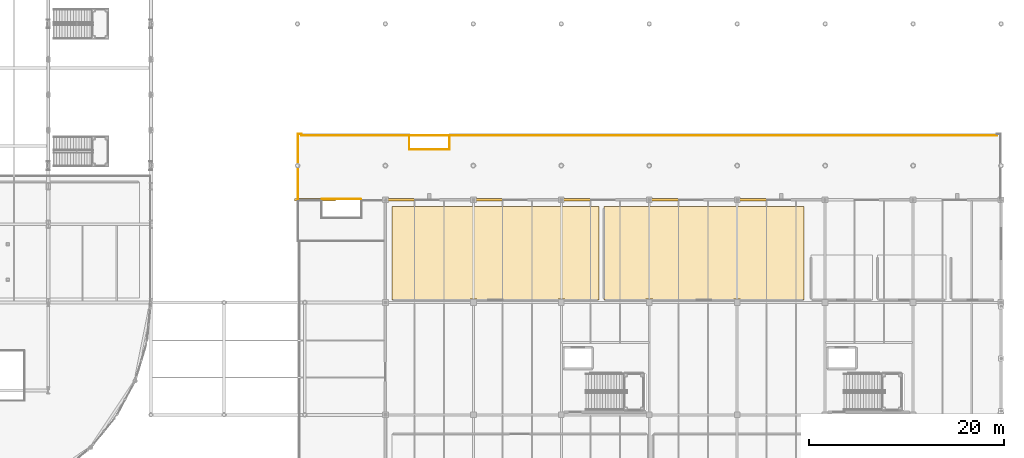
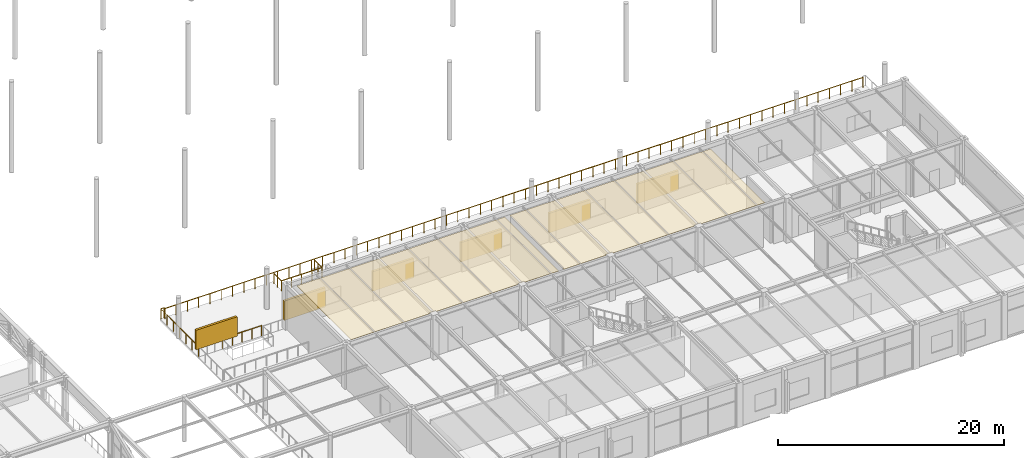
# One storey, part 135 of 143: 6 shading devices, 4 railings, 2 coverings.
"""IFC4 building model written with IfcOpenShell, lengths in metres."""

from ifc_helpers import new_model, si_unit, direction, frame, origin, origin_2d, place, context, subcontext, project, spatial, polyline, rectangle, circle, outline, extrude, material, layer, layer_set, type_object, element, save


model = new_model("IFC4")

# Units and contexts
model_context = context("Model", 3, precision=1e-05, world=origin(), true_north=direction((0.0, 1.0)))
body_context = subcontext(model_context, "Body", "Model", "MODEL_VIEW")
ifc_project = project(units=[si_unit("LENGTHUNIT", "METRE"), si_unit("AREAUNIT", "SQUARE_METRE"), si_unit("VOLUMEUNIT", "CUBIC_METRE"), si_unit("PLANEANGLEUNIT", "RADIAN"), si_unit("MASSUNIT", "GRAM", prefix="KILO")], contexts=[model_context])

# Site, building, storey
site_placement = place(None, origin())
site = spatial("IfcSite", under=ifc_project, at=site_placement, CompositionType="ELEMENT")
building_placement = place(site_placement, origin())
building = spatial("IfcBuilding", under=site, at=building_placement, Name="Marlcrest Central Station", CompositionType="ELEMENT")
storey_placement = place(building_placement, frame((0.0, 0.0, 4.800048828125)))
storey = spatial("IfcBuildingStorey", under=building, at=storey_placement, Name="L01", CompositionType="ELEMENT", Elevation=4.800048828125)

# Coverings
ifc_material_1 = material(Name="Perforated acoustic mineral-fibre ceiling")
ifc_layer = layer(ifc_material_1, 0.02490234375, Name="CV-CLG")
ifc_layer_set = layer_set([ifc_layer], Name="Perforated acoustic mineral-fibre ceiling")
covering_type = type_object("IfcCoveringType", Name="CV-CLG", PredefinedType="CEILING", material=ifc_layer_set)
covering_1_placement = place(storey_placement, frame((0.0, 0.0, 4.675048828125)))
element("IfcCovering", 1, at=covering_1_placement, inside=storey, type_object=covering_type, Name="cov-clg-0076", PredefinedType="CEILING", context=body_context, shape_type="SweptSolid", body=[
    extrude(outline(polyline([(153.659912109375, 32.340087890625), (174.840087890625, 32.340087890625), (174.840087890625, 22.760009765625), (171.360107421875, 22.760009765625), (171.360107421875, 22.860107421875), (170.639892578125, 22.860107421875), (170.639892578125, 22.760009765625), (162.360107421875, 22.760009765625), (162.360107421875, 22.860107421875), (161.639892578125, 22.860107421875), (161.639892578125, 22.760009765625), (153.659912109375, 22.760009765625), (153.659912109375, 32.340087890625)])), origin(), (0.0, 0.0, 1.0), 0.02490234375),
])
covering_2_placement = place(storey_placement, frame((0.0, 0.0, 4.675048828125)))
element("IfcCovering", 2, at=covering_2_placement, inside=storey, type_object=covering_type, Name="cov-clg-0077", PredefinedType="CEILING", context=body_context, shape_type="SweptSolid", body=[
    extrude(outline(polyline([(175.360107421875, 32.340087890625), (195.840087890625, 32.340087890625), (195.840087890625, 22.760009765625), (189.360107421875, 22.760009765625), (189.360107421875, 22.860107421875), (188.639892578125, 22.860107421875), (188.639892578125, 22.760009765625), (180.360107421875, 22.760009765625), (180.360107421875, 22.860107421875), (179.639892578125, 22.860107421875), (179.639892578125, 22.760009765625), (175.360107421875, 22.760009765625), (175.360107421875, 32.340087890625)])), origin(), (0.0, 0.0, 1.0), 0.02490234375),
])

# Railings
ifc_material_2 = material(Name="Stainless steel and laminated glass concourse balustrade", Category="steel")
railing_type = type_object("IfcRailingType", Name="GR-02", PredefinedType="BALUSTRADE", material=ifc_material_2)
railing_1_placement = place(storey_placement, frame((144.39990234375, 39.60009765625, 0.0)))
element("IfcRailing", 3, at=railing_1_placement, inside=storey, type_object=railing_type, Name="grd-L01-0006", PredefinedType="BALUSTRADE", context=body_context, shape_type="SweptSolid", body=[
    extrude(circle(Radius=0.02392578125, at=origin_2d()), frame((0.0, 0.0, 1.09619140625), z_axis=(1.0, 0.0, 0.0), x_axis=(0.0, 1.0, 0.0)), (0.0, 0.0, 1.0), 71.2001953125),
    extrude(circle(Radius=0.02099609375, at=origin_2d()), origin(), (0.0, 0.0, 1.0), 1.072021484375),
    extrude(circle(Radius=0.02099609375, at=origin_2d()), frame((1.1484375, 0.0, 0.0)), (0.0, 0.0, 1.0), 1.072021484375),
    extrude(circle(Radius=0.02099609375, at=origin_2d()), frame((2.296875, 0.0, 0.0)), (0.0, 0.0, 1.0), 1.072021484375),
    extrude(circle(Radius=0.02099609375, at=origin_2d()), frame((3.445068359375, 0.0, 0.0)), (0.0, 0.0, 1.0), 1.072021484375),
    extrude(circle(Radius=0.02099609375, at=origin_2d()), frame((4.593505859375, 0.0, 0.0)), (0.0, 0.0, 1.0), 1.072021484375),
    extrude(circle(Radius=0.02099609375, at=origin_2d()), frame((5.741943359375, 0.0, 0.0)), (0.0, 0.0, 1.0), 1.072021484375),
    extrude(circle(Radius=0.02099609375, at=origin_2d()), frame((6.890380859375, 0.0, 0.0)), (0.0, 0.0, 1.0), 1.072021484375),
    extrude(circle(Radius=0.02099609375, at=origin_2d()), frame((8.038818359375, 0.0, 0.0)), (0.0, 0.0, 1.0), 1.072021484375),
    extrude(circle(Radius=0.02099609375, at=origin_2d()), frame((9.18701171875, 0.0, 0.0)), (0.0, 0.0, 1.0), 1.072021484375),
    extrude(circle(Radius=0.02099609375, at=origin_2d()), frame((10.33544921875, 0.0, 0.0)), (0.0, 0.0, 1.0), 1.072021484375),
    extrude(circle(Radius=0.02099609375, at=origin_2d()), frame((11.48388671875, 0.0, 0.0)), (0.0, 0.0, 1.0), 1.072021484375),
    extrude(circle(Radius=0.02099609375, at=origin_2d()), frame((12.63232421875, 0.0, 0.0)), (0.0, 0.0, 1.0), 1.072021484375),
    extrude(circle(Radius=0.02099609375, at=origin_2d()), frame((13.78076171875, 0.0, 0.0)), (0.0, 0.0, 1.0), 1.072021484375),
    extrude(circle(Radius=0.02099609375, at=origin_2d()), frame((14.928955078125, 0.0, 0.0)), (0.0, 0.0, 1.0), 1.072021484375),
    extrude(circle(Radius=0.02099609375, at=origin_2d()), frame((16.077392578125, 0.0, 0.0)), (0.0, 0.0, 1.0), 1.072021484375),
    extrude(circle(Radius=0.02099609375, at=origin_2d()), frame((17.225830078125, 0.0, 0.0)), (0.0, 0.0, 1.0), 1.072021484375),
    extrude(circle(Radius=0.02099609375, at=origin_2d()), frame((18.374267578125, 0.0, 0.0)), (0.0, 0.0, 1.0), 1.072021484375),
    extrude(circle(Radius=0.02099609375, at=origin_2d()), frame((19.522705078125, 0.0, 0.0)), (0.0, 0.0, 1.0), 1.072021484375),
    extrude(circle(Radius=0.02099609375, at=origin_2d()), frame((20.671142578125, 0.0, 0.0)), (0.0, 0.0, 1.0), 1.072021484375),
    extrude(circle(Radius=0.02099609375, at=origin_2d()), frame((21.8193359375, 0.0, 0.0)), (0.0, 0.0, 1.0), 1.072021484375),
    extrude(circle(Radius=0.02099609375, at=origin_2d()), frame((22.9677734375, 0.0, 0.0)), (0.0, 0.0, 1.0), 1.072021484375),
    extrude(circle(Radius=0.02099609375, at=origin_2d()), frame((24.1162109375, 0.0, 0.0)), (0.0, 0.0, 1.0), 1.072021484375),
    extrude(circle(Radius=0.02099609375, at=origin_2d()), frame((25.2646484375, 0.0, 0.0)), (0.0, 0.0, 1.0), 1.072021484375),
    extrude(circle(Radius=0.02099609375, at=origin_2d()), frame((26.4130859375, 0.0, 0.0)), (0.0, 0.0, 1.0), 1.072021484375),
    extrude(circle(Radius=0.02099609375, at=origin_2d()), frame((27.561279296875, 0.0, 0.0)), (0.0, 0.0, 1.0), 1.072021484375),
    extrude(circle(Radius=0.02099609375, at=origin_2d()), frame((28.709716796875, 0.0, 0.0)), (0.0, 0.0, 1.0), 1.072021484375),
    extrude(circle(Radius=0.02099609375, at=origin_2d()), frame((29.858154296875, 0.0, 0.0)), (0.0, 0.0, 1.0), 1.072021484375),
    extrude(circle(Radius=0.02099609375, at=origin_2d()), frame((31.006591796875, 0.0, 0.0)), (0.0, 0.0, 1.0), 1.072021484375),
    extrude(circle(Radius=0.02099609375, at=origin_2d()), frame((32.155029296875, 0.0, 0.0)), (0.0, 0.0, 1.0), 1.072021484375),
    extrude(circle(Radius=0.02099609375, at=origin_2d()), frame((33.30322265625, 0.0, 0.0)), (0.0, 0.0, 1.0), 1.072021484375),
    extrude(circle(Radius=0.02099609375, at=origin_2d()), frame((34.45166015625, 0.0, 0.0)), (0.0, 0.0, 1.0), 1.072021484375),
    extrude(circle(Radius=0.02099609375, at=origin_2d()), frame((35.60009765625, 0.0, 0.0)), (0.0, 0.0, 1.0), 1.072021484375),
    extrude(circle(Radius=0.02099609375, at=origin_2d()), frame((36.74853515625, 0.0, 0.0)), (0.0, 0.0, 1.0), 1.072021484375),
    extrude(circle(Radius=0.02099609375, at=origin_2d()), frame((37.89697265625, 0.0, 0.0)), (0.0, 0.0, 1.0), 1.072021484375),
    extrude(circle(Radius=0.02099609375, at=origin_2d()), frame((39.045166015625, 0.0, 0.0)), (0.0, 0.0, 1.0), 1.072021484375),
    extrude(circle(Radius=0.02099609375, at=origin_2d()), frame((40.193603515625, 0.0, 0.0)), (0.0, 0.0, 1.0), 1.072021484375),
    extrude(circle(Radius=0.02099609375, at=origin_2d()), frame((41.342041015625, 0.0, 0.0)), (0.0, 0.0, 1.0), 1.072021484375),
    extrude(circle(Radius=0.02099609375, at=origin_2d()), frame((42.490478515625, 0.0, 0.0)), (0.0, 0.0, 1.0), 1.072021484375),
    extrude(circle(Radius=0.02099609375, at=origin_2d()), frame((43.638916015625, 0.0, 0.0)), (0.0, 0.0, 1.0), 1.072021484375),
    extrude(circle(Radius=0.02099609375, at=origin_2d()), frame((44.787109375, 0.0, 0.0)), (0.0, 0.0, 1.0), 1.072021484375),
    extrude(circle(Radius=0.02099609375, at=origin_2d()), frame((45.935546875, 0.0, 0.0)), (0.0, 0.0, 1.0), 1.072021484375),
    extrude(circle(Radius=0.02099609375, at=origin_2d()), frame((47.083984375, 0.0, 0.0)), (0.0, 0.0, 1.0), 1.072021484375),
    extrude(circle(Radius=0.02099609375, at=origin_2d()), frame((48.232421875, 0.0, 0.0)), (0.0, 0.0, 1.0), 1.072021484375),
    extrude(circle(Radius=0.02099609375, at=origin_2d()), frame((49.380859375, 0.0, 0.0)), (0.0, 0.0, 1.0), 1.072021484375),
    extrude(circle(Radius=0.02099609375, at=origin_2d()), frame((50.529052734375, 0.0, 0.0)), (0.0, 0.0, 1.0), 1.072021484375),
    extrude(circle(Radius=0.02099609375, at=origin_2d()), frame((51.677490234375, 0.0, 0.0)), (0.0, 0.0, 1.0), 1.072021484375),
    extrude(circle(Radius=0.02099609375, at=origin_2d()), frame((52.825927734375, 0.0, 0.0)), (0.0, 0.0, 1.0), 1.072021484375),
    extrude(circle(Radius=0.02099609375, at=origin_2d()), frame((53.974365234375, 0.0, 0.0)), (0.0, 0.0, 1.0), 1.072021484375),
    extrude(circle(Radius=0.02099609375, at=origin_2d()), frame((55.122802734375, 0.0, 0.0)), (0.0, 0.0, 1.0), 1.072021484375),
    extrude(circle(Radius=0.02099609375, at=origin_2d()), frame((56.271240234375, 0.0, 0.0)), (0.0, 0.0, 1.0), 1.072021484375),
    extrude(circle(Radius=0.02099609375, at=origin_2d()), frame((57.41943359375, 0.0, 0.0)), (0.0, 0.0, 1.0), 1.072021484375),
    extrude(circle(Radius=0.02099609375, at=origin_2d()), frame((58.56787109375, 0.0, 0.0)), (0.0, 0.0, 1.0), 1.072021484375),
    extrude(circle(Radius=0.02099609375, at=origin_2d()), frame((59.71630859375, 0.0, 0.0)), (0.0, 0.0, 1.0), 1.072021484375),
    extrude(circle(Radius=0.02099609375, at=origin_2d()), frame((60.86474609375, 0.0, 0.0)), (0.0, 0.0, 1.0), 1.072021484375),
    extrude(circle(Radius=0.02099609375, at=origin_2d()), frame((62.01318359375, 0.0, 0.0)), (0.0, 0.0, 1.0), 1.072021484375),
    extrude(circle(Radius=0.02099609375, at=origin_2d()), frame((63.161376953125, 0.0, 0.0)), (0.0, 0.0, 1.0), 1.072021484375),
    extrude(circle(Radius=0.02099609375, at=origin_2d()), frame((64.309814453125, 0.0, 0.0)), (0.0, 0.0, 1.0), 1.072021484375),
    extrude(circle(Radius=0.02099609375, at=origin_2d()), frame((65.458251953125, 0.0, 0.0)), (0.0, 0.0, 1.0), 1.072021484375),
    extrude(circle(Radius=0.02099609375, at=origin_2d()), frame((66.606689453125, 0.0, 0.0)), (0.0, 0.0, 1.0), 1.072021484375),
    extrude(circle(Radius=0.02099609375, at=origin_2d()), frame((67.755126953125, 0.0, 0.0)), (0.0, 0.0, 1.0), 1.072021484375),
    extrude(circle(Radius=0.02099609375, at=origin_2d()), frame((68.9033203125, 0.0, 0.0)), (0.0, 0.0, 1.0), 1.072021484375),
    extrude(circle(Radius=0.02099609375, at=origin_2d()), frame((70.0517578125, 0.0, 0.0)), (0.0, 0.0, 1.0), 1.072021484375),
    extrude(circle(Radius=0.02099609375, at=origin_2d()), frame((71.2001953125, 0.0, 0.0)), (0.0, 0.0, 1.0), 1.072021484375),
])
railing_2_placement = place(storey_placement, frame((144.06005859375, 33.080078125, 0.0)))
element("IfcRailing", 4, at=railing_2_placement, inside=storey, type_object=railing_type, Name="hr-L01-00394", PredefinedType="BALUSTRADE", context=body_context, shape_type="SweptSolid", body=[
    extrude(circle(Radius=0.02392578125, at=origin_2d()), frame((0.0, 0.0, 1.09619140625), z_axis=(0.0, 1.0, 0.0), x_axis=(-1.0, 0.0, 0.0)), (0.0, 0.0, 1.0), 6.659912109375),
    extrude(circle(Radius=0.02392578125, at=origin_2d()), frame((0.0, 6.659912109375, 1.09619140625), z_axis=(1.0, 0.0, 0.0), x_axis=(0.0, 1.0, 0.0)), (0.0, 0.0, 1.0), 0.33984375),
    extrude(circle(Radius=0.02099609375, at=origin_2d()), origin(), (0.0, 0.0, 1.0), 1.072021484375),
    extrude(circle(Radius=0.02099609375, at=origin_2d()), frame((0.0, 1.10986328125, 0.0)), (0.0, 0.0, 1.0), 1.072021484375),
    extrude(circle(Radius=0.02099609375, at=origin_2d()), frame((0.0, 2.219970703125, 0.0)), (0.0, 0.0, 1.0), 1.072021484375),
    extrude(circle(Radius=0.02099609375, at=origin_2d()), frame((0.0, 3.330078125, 0.0)), (0.0, 0.0, 1.0), 1.072021484375),
    extrude(circle(Radius=0.02099609375, at=origin_2d()), frame((0.0, 4.43994140625, 0.0)), (0.0, 0.0, 1.0), 1.072021484375),
    extrude(circle(Radius=0.02099609375, at=origin_2d()), frame((0.0, 5.5498046875, 0.0)), (0.0, 0.0, 1.0), 1.072021484375),
    extrude(circle(Radius=0.02099609375, at=origin_2d()), frame((0.0, 6.659912109375, 0.0)), (0.0, 0.0, 1.0), 1.072021484375),
    extrude(circle(Radius=0.02099609375, at=origin_2d()), frame((0.33984375, 6.659912109375, 0.0)), (0.0, 0.0, 1.0), 1.072021484375),
])
railing_3_placement = place(storey_placement, frame((155.43994140625, 39.4599609375, 0.0)))
element("IfcRailing", 5, at=railing_3_placement, inside=storey, type_object=railing_type, Name="hr-L01-00395", PredefinedType="BALUSTRADE", context=body_context, shape_type="SweptSolid", body=[
    extrude(circle(Radius=0.02392578125, at=origin_2d()), frame((0.0, 0.0, 1.09619140625), z_axis=(0.0, -1.0, 0.0), x_axis=(1.0, 0.0, 0.0)), (0.0, 0.0, 1.0), 1.320068359375),
    extrude(circle(Radius=0.02392578125, at=origin_2d()), frame((0.0, -1.320068359375, 1.09619140625), z_axis=(1.0, 0.0, 0.0), x_axis=(0.0, 1.0, 0.0)), (0.0, 0.0, 1.0), 4.1201171875),
    extrude(circle(Radius=0.02392578125, at=origin_2d()), frame((4.1201171875, -1.320068359375, 1.09619140625), z_axis=(0.0, 1.0, 0.0), x_axis=(-1.0, 0.0, 0.0)), (0.0, 0.0, 1.0), 1.320068359375),
    extrude(circle(Radius=0.02099609375, at=origin_2d()), origin(), (0.0, 0.0, 1.0), 1.072021484375),
    extrude(circle(Radius=0.02099609375, at=origin_2d()), frame((0.0, -0.66015625, 0.0)), (0.0, 0.0, 1.0), 1.072021484375),
    extrude(circle(Radius=0.02099609375, at=origin_2d()), frame((0.0, -1.320068359375, 0.0)), (0.0, 0.0, 1.0), 1.072021484375),
    extrude(circle(Radius=0.02099609375, at=origin_2d()), frame((1.030029296875, -1.320068359375, 0.0)), (0.0, 0.0, 1.0), 1.072021484375),
    extrude(circle(Radius=0.02099609375, at=origin_2d()), frame((2.06005859375, -1.320068359375, 0.0)), (0.0, 0.0, 1.0), 1.072021484375),
    extrude(circle(Radius=0.02099609375, at=origin_2d()), frame((3.090087890625, -1.320068359375, 0.0)), (0.0, 0.0, 1.0), 1.072021484375),
    extrude(circle(Radius=0.02099609375, at=origin_2d()), frame((4.1201171875, -1.320068359375, 0.0)), (0.0, 0.0, 1.0), 1.072021484375),
    extrude(circle(Radius=0.02099609375, at=origin_2d()), frame((4.1201171875, -0.66015625, 0.0)), (0.0, 0.0, 1.0), 1.072021484375),
    extrude(circle(Radius=0.02099609375, at=origin_2d()), frame((4.1201171875, 0.0, 0.0)), (0.0, 0.0, 1.0), 1.072021484375),
])
railing_4_placement = place(storey_placement, frame((150.488037109375, 33.06005859375, 0.0)))
element("IfcRailing", 6, at=railing_4_placement, inside=storey, type_object=railing_type, Name="hr-L01-00397", PredefinedType="BALUSTRADE", context=body_context, shape_type="SweptSolid", body=[
    extrude(circle(Radius=0.02392578125, at=origin_2d()), frame((0.0, 0.0, 1.09619140625), z_axis=(-1.0, 0.0, 0.0), x_axis=(0.0, -1.0, 0.0)), (0.0, 0.0, 1.0), 3.97607421875),
    extrude(circle(Radius=0.02099609375, at=origin_2d()), origin(), (0.0, 0.0, 1.0), 1.072021484375),
    extrude(circle(Radius=0.02099609375, at=origin_2d()), frame((-0.994140625, 0.0, 0.0)), (0.0, 0.0, 1.0), 1.072021484375),
    extrude(circle(Radius=0.02099609375, at=origin_2d()), frame((-1.988037109375, 0.0, 0.0)), (0.0, 0.0, 1.0), 1.072021484375),
    extrude(circle(Radius=0.02099609375, at=origin_2d()), frame((-2.98193359375, 0.0, 0.0)), (0.0, 0.0, 1.0), 1.072021484375),
    extrude(circle(Radius=0.02099609375, at=origin_2d()), frame((-3.97607421875, 0.0, 0.0)), (0.0, 0.0, 1.0), 1.072021484375),
])

# Shading devices
ifc_material_3 = material(Name="Bronze-anodised aluminium storm louvre", Category="aluminium")
shading_device_type = type_object("IfcShadingDeviceType", Name="SD-JL2", PredefinedType="JALOUSIE", material=ifc_material_3)
for number, where, z_axis, x_axis, name in (
    (7, (145.800048828125, 33.0, 0.949951171875), (0.0, 0.0, 1.0), (1.0, 0.0, 0.0), "shd-L01-0080"),
    (8, (154.800048828125, 33.0, 0.949951171875), (0.0, 0.0, 1.0), (1.0, 0.0, 0.0), "shd-L01-0082"),
    (9, (163.800048828125, 33.0, 0.949951171875), (0.0, 0.0, 1.0), (1.0, 0.0, 0.0), "shd-L01-0084"),
    (10, (172.800048828125, 33.0, 0.949951171875), (0.0, 0.0, 1.0), (1.0, 0.0, 0.0), "shd-L01-0086"),
    (11, (181.800048828125, 33.0, 0.949951171875), (0.0, 0.0, 1.0), (1.0, 0.0, 0.0), "shd-L01-0088"),
    (12, (190.800048828125, 33.0, 0.949951171875), (0.0, 0.0, 1.0), (1.0, 0.0, 0.0), "shd-L01-0090"),
):
    element("IfcShadingDevice", number, at=place(storey_placement, frame(where, z_axis=z_axis, x_axis=x_axis)), inside=storey, type_object=shading_device_type, Name=name, PredefinedType="JALOUSIE", context=body_context, shape_type="SweptSolid", body=[
        extrude(rectangle(XDim=4.199951171875, YDim=0.219970703125, at=origin_2d()), origin(), (0.0, 0.0, 1.0), 2.10009765625),
    ])

save(model, "model.ifc")
